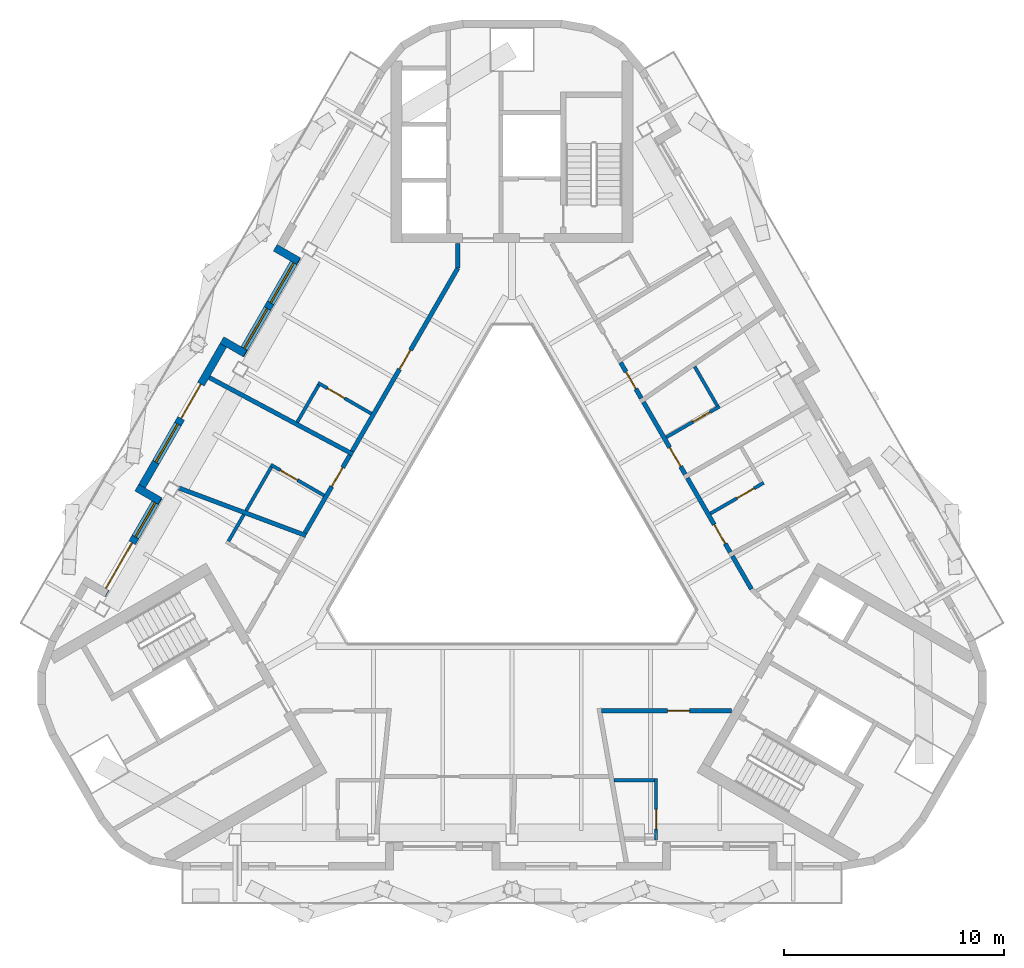
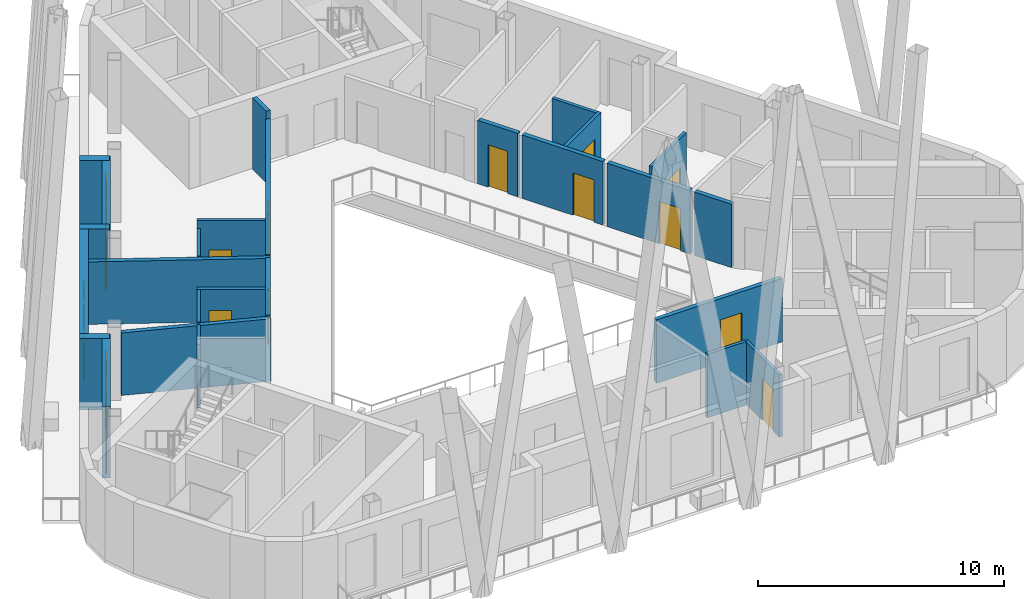
# One storey, part 4 of 12: 26 walls, 13 doors, 4 windows, 17 openings.
"""IFC4 building model written with IfcOpenShell, lengths in metres."""

from ifc_helpers import new_model, si_unit, direction, frame, frame_2d, origin, place, context, subcontext, project, spatial, rectangle, extrude, material, layer, layer_set, type_object, element, fill, save


model = new_model("IFC4")

# Units and contexts
model_context = context("Model", 3, precision=1e-05, world=origin(), true_north=direction((0.0, 1.0)))
body_context = subcontext(model_context, "Body", "Model", "MODEL_VIEW")
ifc_project = project(units=[si_unit("LENGTHUNIT", "METRE"), si_unit("AREAUNIT", "SQUARE_METRE"), si_unit("VOLUMEUNIT", "CUBIC_METRE"), si_unit("PLANEANGLEUNIT", "RADIAN"), si_unit("MASSUNIT", "GRAM", prefix="KILO")], contexts=[model_context])

# Site, building, storey
site_placement = place(None, origin())
site = spatial("IfcSite", under=ifc_project, at=site_placement, CompositionType="ELEMENT")
building_placement = place(site_placement, origin())
building = spatial("IfcBuilding", under=site, at=building_placement, Name="Apuvela Tower Hotel", CompositionType="ELEMENT")
storey_placement = place(building_placement, frame((0.0, 0.0, 324.39990234375)))
storey = spatial("IfcBuildingStorey", under=building, at=storey_placement, Name="L81", CompositionType="ELEMENT", Elevation=324.39990234375)

# Wall
ifc_material_1 = material(Name="Concrete C40/50, dark pigmented precast panel", Category="concrete")
ifc_layer_1 = layer(ifc_material_1, 0.35009765625)
ifc_layer_set_1 = layer_set([ifc_layer_1], Name="ENV-WALL-350")
wall_type_1 = type_object("IfcWallType", Name="ENV-WALL-350", PredefinedType="SOLIDWALL", material=ifc_layer_set_1)
wall_1_placement = place(storey_placement, frame((-10.773681640625, 12.660400390625, 0.0), z_axis=(0.0, 0.0, 1.0), x_axis=(0.866142280446, -0.499797509021, 0.0)))
element("IfcWall", 1, at=wall_1_placement, inside=storey, type_object=wall_type_1, Name="External wall L81-02", PredefinedType="SOLIDWALL", context=body_context, shape_type="SweptSolid", body=[
    extrude(rectangle(XDim=1.22021484375, YDim=0.35009765625, at=frame_2d((0.610107421875, 0.0))), origin(), (0.0, 0.0, 1.0), 3.550048828125),
])

# Wall, openings, windows
wall_2_placement = place(storey_placement, frame((-9.77001953125, 12.24853515625, 0.0), z_axis=(0.0, 0.0, 1.0), x_axis=(-0.499999159329, -0.866025889145, 0.0)))
wall_2 = element("IfcWall", 2, at=wall_2_placement, inside=storey, type_object=wall_type_1, Name="External wall L81-03", PredefinedType="SOLIDWALL", context=body_context, shape_type="SweptSolid", body=[
    extrude(rectangle(XDim=5.142578125, YDim=0.35009765625, at=frame_2d((2.5712890625, 0.0))), origin(), (0.0, 0.0, 1.0), 3.550048828125),
])
opening_1_placement = place(wall_2_placement, frame((0.3203125, 0.0, 0.300048828125)))
opening_1 = element("IfcOpeningElement", 3, at=opening_1_placement, cuts=wall_2, Name="Opening WN21", PredefinedType="OPENING", context=body_context, shape_type="SweptSolid", body=[
    extrude(rectangle(XDim=2.10009765625, YDim=2.64990234375, at=frame_2d((1.050048828125, 1.324951171875))), frame((0.0, 0.18505859375, 0.0), z_axis=(0.0, -1.0, 0.0), x_axis=(1.0, 0.0, 0.0)), (0.0, 0.0, 1.0), 0.3701171875),
])
opening_2_placement = place(wall_2_placement, frame((2.72021484375, 0.0, 0.300048828125)))
opening_2 = element("IfcOpeningElement", 4, at=opening_2_placement, cuts=wall_2, Name="Opening WN21", PredefinedType="OPENING", context=body_context, shape_type="SweptSolid", body=[
    extrude(rectangle(XDim=2.10009765625, YDim=2.64990234375, at=frame_2d((1.050048828125, 1.324951171875))), frame((0.0, 0.18505859375, 0.0), z_axis=(0.0, -1.0, 0.0), x_axis=(1.0, 0.0, 0.0)), (0.0, 0.0, 1.0), 0.3701171875),
])
ifc_material_2 = material(Name="Glass, dark tinted laminated insulated glazing unit", Category="glass")
window_type_1 = type_object("IfcWindowType", Name="ENV-WIN-2100x2650", PartitioningType="SINGLE_PANEL", PredefinedType="WINDOW", material=ifc_material_2)
window_1_placement = place(opening_1_placement, origin())
window_1 = element("IfcWindow", 5, at=window_1_placement, inside=storey, type_object=window_type_1, Name="Window WN21", OverallHeight=2.64990234375, OverallWidth=2.10009765625, PartitioningType="SINGLE_PANEL", PredefinedType="WINDOW", context=body_context, shape_type="SweptSolid", body=[
    extrude(rectangle(XDim=2.10009765625, YDim=2.64990234375, at=frame_2d((1.050048828125, 1.324951171875))), frame((0.0, 0.030029296875, 0.0), z_axis=(0.0, -1.0, 0.0), x_axis=(1.0, 0.0, 0.0)), (0.0, 0.0, 1.0), 0.06005859375),
])
fill(opening_1, window_1)
window_2_placement = place(opening_2_placement, origin())
window_2 = element("IfcWindow", 6, at=window_2_placement, inside=storey, type_object=window_type_1, Name="Window WN21", OverallHeight=2.64990234375, OverallWidth=2.10009765625, PartitioningType="SINGLE_PANEL", PredefinedType="WINDOW", context=body_context, shape_type="SweptSolid", body=[
    extrude(rectangle(XDim=2.10009765625, YDim=2.64990234375, at=frame_2d((1.050048828125, 1.324951171875))), frame((0.0, 0.030029296875, 0.0), z_axis=(0.0, -1.0, 0.0), x_axis=(1.0, 0.0, 0.0)), (0.0, 0.0, 1.0), 0.06005859375),
])
fill(opening_2, window_2)

# Wall
wall_3_placement = place(storey_placement, frame((-12.143310546875, 7.847900390625, 0.0), z_axis=(0.0, 0.0, 1.0), x_axis=(-0.865955602162, 0.500120880472, 0.0)))
element("IfcWall", 7, at=wall_3_placement, inside=storey, type_object=wall_type_1, Name="External wall L81-04", PredefinedType="SOLIDWALL", context=body_context, shape_type="SweptSolid", body=[
    extrude(rectangle(XDim=1.219970703125, YDim=0.35009765625, at=frame_2d((0.60986328125, 0.0))), origin(), (0.0, 0.0, 1.0), 3.550048828125),
])

# Wall, openings, door, window
wall_4_placement = place(storey_placement, frame((-12.960693359375, 8.522216796875, 0.0), z_axis=(0.0, 0.0, 1.0), x_axis=(-0.499995447853, -0.866028031952, 0.0)))
wall_4 = element("IfcWall", 8, at=wall_4_placement, inside=storey, type_object=wall_type_1, Name="External wall L81-05", PredefinedType="SOLIDWALL", context=body_context, shape_type="SweptSolid", body=[
    extrude(rectangle(XDim=8.1025390625, YDim=0.35009765625, at=frame_2d((4.05126953125, 0.0))), origin(), (0.0, 0.0, 1.0), 3.550048828125),
])
opening_3_placement = place(wall_4_placement, frame((2.39013671875, 0.0, 0.0)))
opening_3 = element("IfcOpeningElement", 9, at=opening_3_placement, cuts=wall_4, Name="Opening BD18", PredefinedType="OPENING", context=body_context, shape_type="SweptSolid", body=[
    extrude(rectangle(XDim=1.800048828125, YDim=2.39990234375, at=frame_2d((0.89990234375, 1.199951171875))), frame((0.0, 0.18505859375, 0.0), z_axis=(0.0, -1.0, 0.0), x_axis=(1.0, 0.0, 0.0)), (0.0, 0.0, 1.0), 0.3701171875),
])
opening_4_placement = place(wall_4_placement, frame((4.489990234375, 0.0, 0.300048828125)))
opening_4 = element("IfcOpeningElement", 10, at=opening_4_placement, cuts=wall_4, Name="Opening WN20", PredefinedType="OPENING", context=body_context, shape_type="SweptSolid", body=[
    extrude(rectangle(XDim=2.0, YDim=2.64990234375, at=frame_2d((1.0, 1.324951171875))), frame((0.0, 0.18505859375, 0.0), z_axis=(0.0, -1.0, 0.0), x_axis=(1.0, 0.0, 0.0)), (0.0, 0.0, 1.0), 0.3701171875),
])
ifc_material_3 = material(Name="Aluminium 6063-T6, dark bronze anodised frame with dark tinted laminated glass", Category="aluminium")
door_type_1 = type_object("IfcDoorType", Name="ENV-DOOR-BALCONY-1800x2400", OperationType="SLIDING_TO_LEFT", PredefinedType="DOOR", material=ifc_material_3)
door_1_placement = place(opening_3_placement, frame((1.800048828125, 0.0, 0.0), z_axis=(0.0, 0.0, 1.0), x_axis=(-1.0, 0.0, 0.0)))
door_1 = element("IfcDoor", 11, at=door_1_placement, inside=storey, type_object=door_type_1, Name="Balcony door BD18", OperationType="SLIDING_TO_LEFT", OverallHeight=2.39990234375, OverallWidth=1.800048828125, PredefinedType="DOOR", context=body_context, shape_type="SweptSolid", body=[
    extrude(rectangle(XDim=1.800048828125, YDim=2.39990234375, at=frame_2d((0.89990234375, 1.199951171875))), frame((0.0, 0.02490234375, 0.0), z_axis=(0.0, -1.0, 0.0), x_axis=(1.0, 0.0, 0.0)), (0.0, 0.0, 1.0), 0.050048828125),
])
fill(opening_3, door_1)
window_type_2 = type_object("IfcWindowType", Name="ENV-WIN-2000x2650", PartitioningType="SINGLE_PANEL", PredefinedType="WINDOW", material=ifc_material_2)
window_3_placement = place(opening_4_placement, origin())
window_3 = element("IfcWindow", 12, at=window_3_placement, inside=storey, type_object=window_type_2, Name="Window WN20", OverallHeight=2.64990234375, OverallWidth=2.0, PartitioningType="SINGLE_PANEL", PredefinedType="WINDOW", context=body_context, shape_type="SweptSolid", body=[
    extrude(rectangle(XDim=2.0, YDim=2.64990234375, at=frame_2d((1.0, 1.324951171875))), frame((0.0, 0.030029296875, 0.0), z_axis=(0.0, -1.0, 0.0), x_axis=(1.0, 0.0, 0.0)), (0.0, 0.0, 1.0), 0.06005859375),
])
fill(opening_4, window_3)

# Wall
wall_5_placement = place(storey_placement, frame((-17.075927734375, 1.744384765625, 0.0), z_axis=(0.0, 0.0, 1.0), x_axis=(0.866005645448, -0.500034220881, 0.0)))
element("IfcWall", 13, at=wall_5_placement, inside=storey, type_object=wall_type_1, Name="External wall L81-06", PredefinedType="SOLIDWALL", context=body_context, shape_type="SweptSolid", body=[
    extrude(rectangle(XDim=1.22021484375, YDim=0.35009765625, at=frame_2d((0.610107421875, 0.0))), origin(), (0.0, 0.0, 1.0), 3.550048828125),
])

# Wall, openings, door, window
wall_6_placement = place(storey_placement, frame((-16.072509765625, 1.33251953125, 0.0), z_axis=(0.0, 0.0, 1.0), x_axis=(-0.499999159329, -0.866025889145, 0.0)))
wall_6 = element("IfcWall", 14, at=wall_6_placement, inside=storey, type_object=wall_type_1, Name="External wall L81-07", PredefinedType="SOLIDWALL", context=body_context, shape_type="SweptSolid", body=[
    extrude(rectangle(XDim=5.142578125, YDim=0.35009765625, at=frame_2d((2.5712890625, 0.0))), origin(), (0.0, 0.0, 1.0), 3.550048828125),
])
opening_5_placement = place(wall_6_placement, frame((2.422119140625, 0.0, 0.0)))
opening_5 = element("IfcOpeningElement", 15, at=opening_5_placement, cuts=wall_6, Name="Opening BD24", PredefinedType="OPENING", context=body_context, shape_type="SweptSolid", body=[
    extrude(rectangle(XDim=2.39990234375, YDim=2.39990234375, at=frame_2d((1.199951171875, 1.199951171875))), frame((0.0, 0.18505859375, 0.0), z_axis=(0.0, -1.0, 0.0), x_axis=(1.0, 0.0, 0.0)), (0.0, 0.0, 1.0), 0.3701171875),
])
opening_6_placement = place(wall_6_placement, frame((0.3203125, 0.0, 0.300048828125)))
opening_6 = element("IfcOpeningElement", 16, at=opening_6_placement, cuts=wall_6, Name="Opening WN18", PredefinedType="OPENING", context=body_context, shape_type="SweptSolid", body=[
    extrude(rectangle(XDim=1.800048828125, YDim=2.64990234375, at=frame_2d((0.89990234375, 1.324951171875))), frame((0.0, 0.18505859375, 0.0), z_axis=(0.0, -1.0, 0.0), x_axis=(1.0, 0.0, 0.0)), (0.0, 0.0, 1.0), 0.3701171875),
])
door_type_2 = type_object("IfcDoorType", Name="ENV-DOOR-BALCONY-2400x2400", OperationType="SLIDING_TO_LEFT", PredefinedType="DOOR", material=ifc_material_3)
door_2_placement = place(opening_5_placement, frame((2.39990234375, 0.0, 0.0), z_axis=(0.0, 0.0, 1.0), x_axis=(-1.0, 0.0, 0.0)))
door_2 = element("IfcDoor", 17, at=door_2_placement, inside=storey, type_object=door_type_2, Name="Balcony door BD24", OperationType="SLIDING_TO_LEFT", OverallHeight=2.39990234375, OverallWidth=2.39990234375, PredefinedType="DOOR", context=body_context, shape_type="SweptSolid", body=[
    extrude(rectangle(XDim=2.39990234375, YDim=2.39990234375, at=frame_2d((1.199951171875, 1.199951171875))), frame((0.0, 0.02490234375, 0.0), z_axis=(0.0, -1.0, 0.0), x_axis=(1.0, 0.0, 0.0)), (0.0, 0.0, 1.0), 0.050048828125),
])
fill(opening_5, door_2)
window_type_3 = type_object("IfcWindowType", Name="ENV-WIN-1800x2650", PartitioningType="SINGLE_PANEL", PredefinedType="WINDOW", material=ifc_material_2)
window_4_placement = place(opening_6_placement, origin())
window_4 = element("IfcWindow", 18, at=window_4_placement, inside=storey, type_object=window_type_3, Name="Window WN18", OverallHeight=2.64990234375, OverallWidth=1.800048828125, PartitioningType="SINGLE_PANEL", PredefinedType="WINDOW", context=body_context, shape_type="SweptSolid", body=[
    extrude(rectangle(XDim=1.800048828125, YDim=2.64990234375, at=frame_2d((0.89990234375, 1.324951171875))), frame((0.0, 0.030029296875, 0.0), z_axis=(0.0, -1.0, 0.0), x_axis=(1.0, 0.0, 0.0)), (0.0, 0.0, 1.0), 0.06005859375),
])
fill(opening_6, window_4)

# Walls
ifc_material_4 = material(Name="Gypsum board partition on twin steel stud", Category="steel")
ifc_layer_2 = layer(ifc_material_4, 0.199951171875)
ifc_layer_set_2 = layer_set([ifc_layer_2], Name="GST-PW1")
wall_type_2 = type_object("IfcWallType", Name="GST-PW1", PredefinedType="PARTITIONING", material=ifc_layer_set_2)
wall_7_placement = place(storey_placement, frame((-13.779296875, 6.75439453125, 0.0), z_axis=(0.0, 0.0, 1.0), x_axis=(0.882189732524, -0.470894123799, 0.0)))
element("IfcWall", 19, at=wall_7_placement, inside=storey, type_object=wall_type_2, Name="L81 partition 08", PredefinedType="PARTITIONING", context=body_context, shape_type="SweptSolid", body=[
    extrude(rectangle(XDim=7.41455078125, YDim=0.199951171875, at=frame_2d((3.707275390625, 0.0))), origin(), (0.0, 0.0, 1.0), 3.10009765625),
])
wall_8_placement = place(storey_placement, frame((-15.15234375, 1.72607421875, 0.0), z_axis=(0.0, 0.0, 1.0), x_axis=(0.936472215665, -0.350741770091, 0.0)))
element("IfcWall", 20, at=wall_8_placement, inside=storey, type_object=wall_type_2, Name="L81 partition 09", PredefinedType="PARTITIONING", context=body_context, shape_type="SweptSolid", body=[
    extrude(rectangle(XDim=6.169189453125, YDim=0.199951171875, at=frame_2d((3.08447265625, 0.0))), origin(), (0.0, 0.0, 1.0), 3.10009765625),
])

# Wall, opening, door
ifc_material_5 = material(Name="Gypsum board corridor wall on twin steel stud, acoustic", Category="steel")
ifc_layer_3 = layer(ifc_material_5, 0.199951171875)
ifc_layer_set_3 = layer_set([ifc_layer_3], Name="GST-PW2")
wall_type_3 = type_object("IfcWallType", Name="GST-PW2", PredefinedType="PARTITIONING", material=ifc_layer_set_3)
wall_9_placement = place(storey_placement, frame((9.98828125, -8.39990234375, 0.0), z_axis=(0.0, 0.0, 1.0), x_axis=(-1.0, 0.0, 0.0)))
wall_9 = element("IfcWall", 21, at=wall_9_placement, inside=storey, type_object=wall_type_3, Name="L81 partition 17", PredefinedType="PARTITIONING", context=body_context, shape_type="SweptSolid", body=[
    extrude(rectangle(XDim=5.904296875, YDim=0.199951171875, at=frame_2d((2.9521484375, 0.0))), origin(), (0.0, 0.0, 1.0), 3.150146484375),
])
opening_7_placement = place(wall_9_placement, frame((1.908203125, 0.0, 0.0)))
opening_7 = element("IfcOpeningElement", 22, at=opening_7_placement, cuts=wall_9, Name="Opening GD35-06", PredefinedType="OPENING", context=body_context, shape_type="SweptSolid", body=[
    extrude(rectangle(XDim=1.0, YDim=2.10009765625, at=frame_2d((0.5, 1.050048828125))), frame((0.0, 0.10986328125, 0.0), z_axis=(0.0, -1.0, 0.0), x_axis=(1.0, 0.0, 0.0)), (0.0, 0.0, 1.0), 0.219970703125),
])
ifc_material_6 = material(Name="Timber door leaf in steel frame", Category="steel")
door_type_3 = type_object("IfcDoorType", Name="GST-D1", OperationType="NOTDEFINED", PredefinedType="DOOR", material=ifc_material_6)
door_3_placement = place(opening_7_placement, origin())
door_3 = element("IfcDoor", 23, at=door_3_placement, inside=storey, type_object=door_type_3, Name="Door L81-06", OperationType="SINGLE_SWING_LEFT", OverallHeight=2.10009765625, OverallWidth=1.0, PredefinedType="DOOR", context=body_context, shape_type="SweptSolid", body=[
    extrude(rectangle(XDim=1.0, YDim=2.10009765625, at=frame_2d((0.5, 1.050048828125))), frame((0.0, 0.02490234375, 0.0), z_axis=(0.0, -1.0, 0.0), x_axis=(1.0, 0.0, 0.0)), (0.0, 0.0, 1.0), 0.050048828125),
])
fill(opening_7, door_3)

# Wall
wall_10_placement = place(storey_placement, frame((10.02685546875, -1.366943359375, 0.0), z_axis=(0.0, 0.0, 1.0), x_axis=(0.499973559465, -0.866040668696, 0.0)))
element("IfcWall", 24, at=wall_10_placement, inside=storey, type_object=wall_type_3, Name="L81 partition 21", PredefinedType="PARTITIONING", context=body_context, shape_type="SweptSolid", body=[
    extrude(rectangle(XDim=1.7392578125, YDim=0.199951171875, at=frame_2d((0.86962890625, 0.0))), origin(), (0.0, 0.0, 1.0), 3.150146484375),
])

# Wall, opening, door
wall_11_placement = place(storey_placement, frame((7.978271484375, 2.181396484375, 0.0), z_axis=(0.0, 0.0, 1.0), x_axis=(0.499986368499, -0.866033273792, 0.0)))
wall_11 = element("IfcWall", 25, at=wall_11_placement, inside=storey, type_object=wall_type_3, Name="L81 partition 25", PredefinedType="PARTITIONING", context=body_context, shape_type="SweptSolid", body=[
    extrude(rectangle(XDim=3.89697265625, YDim=0.199951171875, at=frame_2d((1.948486328125, 0.0))), origin(), (0.0, 0.0, 1.0), 3.150146484375),
])
opening_8_placement = place(wall_11_placement, frame((2.448486328125, 0.0, 0.0)))
opening_8 = element("IfcOpeningElement", 26, at=opening_8_placement, cuts=wall_11, Name="Opening GD35-10", PredefinedType="OPENING", context=body_context, shape_type="SweptSolid", body=[
    extrude(rectangle(XDim=1.0, YDim=2.10009765625, at=frame_2d((0.5, 1.050048828125))), frame((0.0, 0.10986328125, 0.0), z_axis=(0.0, -1.0, 0.0), x_axis=(1.0, 0.0, 0.0)), (0.0, 0.0, 1.0), 0.219970703125),
])
door_4_placement = place(opening_8_placement, origin())
door_4 = element("IfcDoor", 27, at=door_4_placement, inside=storey, type_object=door_type_3, Name="Door L81-10", OperationType="SINGLE_SWING_RIGHT", OverallHeight=2.10009765625, OverallWidth=1.0, PredefinedType="DOOR", context=body_context, shape_type="SweptSolid", body=[
    extrude(rectangle(XDim=1.0, YDim=2.10009765625, at=frame_2d((0.5, 1.050048828125))), frame((0.0, 0.02490234375, 0.0), z_axis=(0.0, -1.0, 0.0), x_axis=(1.0, 0.0, 0.0)), (0.0, 0.0, 1.0), 0.050048828125),
])
fill(opening_8, door_4)

wall_12_placement = place(storey_placement, frame((5.982421875, 5.637939453125, 0.0), z_axis=(0.0, 0.0, 1.0), x_axis=(0.500010442696, -0.866019374607, 0.0)))
wall_12 = element("IfcWall", 28, at=wall_12_placement, inside=storey, type_object=wall_type_3, Name="L81 partition 28", PredefinedType="PARTITIONING", context=body_context, shape_type="SweptSolid", body=[
    extrude(rectangle(XDim=3.79150390625, YDim=0.199951171875, at=frame_2d((1.895751953125, 0.0))), origin(), (0.0, 0.0, 1.0), 3.150146484375),
])
opening_9_placement = place(wall_12_placement, frame((2.38720703125, 0.0, 0.0)))
opening_9 = element("IfcOpeningElement", 29, at=opening_9_placement, cuts=wall_12, Name="Opening GD35-12", PredefinedType="OPENING", context=body_context, shape_type="SweptSolid", body=[
    extrude(rectangle(XDim=1.0, YDim=2.10009765625, at=frame_2d((0.5, 1.050048828125))), frame((0.0, 0.10986328125, 0.0), z_axis=(0.0, -1.0, 0.0), x_axis=(1.0, 0.0, 0.0)), (0.0, 0.0, 1.0), 0.219970703125),
])
door_5_placement = place(opening_9_placement, origin())
door_5 = element("IfcDoor", 30, at=door_5_placement, inside=storey, type_object=door_type_3, Name="Door L81-12", OperationType="SINGLE_SWING_RIGHT", OverallHeight=2.10009765625, OverallWidth=1.0, PredefinedType="DOOR", context=body_context, shape_type="SweptSolid", body=[
    extrude(rectangle(XDim=1.0, YDim=2.10009765625, at=frame_2d((0.5, 1.050048828125))), frame((0.0, 0.02490234375, 0.0), z_axis=(0.0, -1.0, 0.0), x_axis=(1.0, 0.0, 0.0)), (0.0, 0.0, 1.0), 0.050048828125),
])
fill(opening_9, door_5)

wall_13_placement = place(storey_placement, frame((4.943603515625, 7.4375, 0.0), z_axis=(0.0, 0.0, 1.0), x_axis=(0.499943868168, -0.866057809087, 0.0)))
wall_13 = element("IfcWall", 31, at=wall_13_placement, inside=storey, type_object=wall_type_3, Name="L81 partition 32", PredefinedType="PARTITIONING", context=body_context, shape_type="SweptSolid", body=[
    extrude(rectangle(XDim=1.877197265625, YDim=0.199951171875, at=frame_2d((0.9384765625, 0.0))), origin(), (0.0, 0.0, 1.0), 3.150146484375),
])
opening_10_placement = place(wall_13_placement, frame((0.48876953125, 0.0, 0.0)))
opening_10 = element("IfcOpeningElement", 32, at=opening_10_placement, cuts=wall_13, Name="Opening GD35-13", PredefinedType="OPENING", context=body_context, shape_type="SweptSolid", body=[
    extrude(rectangle(XDim=0.89990234375, YDim=2.10009765625, at=frame_2d((0.449951171875, 1.050048828125))), frame((0.0, 0.10986328125, 0.0), z_axis=(0.0, -1.0, 0.0), x_axis=(1.0, 0.0, 0.0)), (0.0, 0.0, 1.0), 0.219970703125),
])
door_type_4 = type_object("IfcDoorType", Name="GST-D2", OperationType="NOTDEFINED", PredefinedType="DOOR", material=ifc_material_6)
door_6_placement = place(opening_10_placement, origin())
door_6 = element("IfcDoor", 33, at=door_6_placement, inside=storey, type_object=door_type_4, Name="Door L81-13", OperationType="SINGLE_SWING_LEFT", OverallHeight=2.10009765625, OverallWidth=0.89990234375, PredefinedType="DOOR", context=body_context, shape_type="SweptSolid", body=[
    extrude(rectangle(XDim=0.89990234375, YDim=2.10009765625, at=frame_2d((0.449951171875, 1.050048828125))), frame((0.0, 0.02490234375, 0.0), z_axis=(0.0, -1.0, 0.0), x_axis=(1.0, 0.0, 0.0)), (0.0, 0.0, 1.0), 0.050048828125),
])
fill(opening_10, door_6)

wall_14_placement = place(storey_placement, frame((-7.276611328125, 3.396728515625, 0.0), z_axis=(0.0, 0.0, 1.0), x_axis=(0.500006917907, 0.866021409692, 0.0)))
wall_14 = element("IfcWall", 34, at=wall_14_placement, inside=storey, type_object=wall_type_3, Name="L81 partition 37", PredefinedType="PARTITIONING", context=body_context, shape_type="SweptSolid", body=[
    extrude(rectangle(XDim=9.633056640625, YDim=0.199951171875, at=frame_2d((4.81640625, 0.0))), origin(), (0.0, 0.0, 1.0), 3.150146484375),
])
opening_11_placement = place(wall_14_placement, frame((4.31640625, 0.0, 0.0)))
opening_11 = element("IfcOpeningElement", 35, at=opening_11_placement, cuts=wall_14, Name="Opening GD35-18", PredefinedType="OPENING", context=body_context, shape_type="SweptSolid", body=[
    extrude(rectangle(XDim=1.0, YDim=2.10009765625, at=frame_2d((0.5, 1.050048828125))), frame((0.0, 0.10986328125, 0.0), z_axis=(0.0, -1.0, 0.0), x_axis=(1.0, 0.0, 0.0)), (0.0, 0.0, 1.0), 0.219970703125),
])
door_7_placement = place(opening_11_placement, origin())
door_7 = element("IfcDoor", 36, at=door_7_placement, inside=storey, type_object=door_type_3, Name="Door L81-18", OperationType="SINGLE_SWING_RIGHT", OverallHeight=2.10009765625, OverallWidth=1.0, PredefinedType="DOOR", context=body_context, shape_type="SweptSolid", body=[
    extrude(rectangle(XDim=1.0, YDim=2.10009765625, at=frame_2d((0.5, 1.050048828125))), frame((0.0, 0.02490234375, 0.0), z_axis=(0.0, -1.0, 0.0), x_axis=(1.0, 0.0, 0.0)), (0.0, 0.0, 1.0), 0.050048828125),
])
fill(opening_11, door_7)

# Wall
wall_15_placement = place(storey_placement, frame((-2.4599609375, 11.7392578125, 0.0), z_axis=(0.0, 0.0, 1.0), x_axis=(0.0, 1.0, 0.0)))
element("IfcWall", 37, at=wall_15_placement, inside=storey, type_object=wall_type_3, Name="L81 partition 38", PredefinedType="PARTITIONING", context=body_context, shape_type="SweptSolid", body=[
    extrude(rectangle(XDim=1.11083984375, YDim=0.199951171875, at=frame_2d((0.555419921875, 0.0))), origin(), (0.0, 0.0, 1.0), 3.550048828125),
])

# Wall, opening, door
wall_16_placement = place(storey_placement, frame((-9.419189453125, -0.314453125, 0.0), z_axis=(0.0, 0.0, 1.0), x_axis=(0.499982843957, 0.866035308604, 0.0)))
wall_16 = element("IfcWall", 38, at=wall_16_placement, inside=storey, type_object=wall_type_3, Name="L81 partition 41", PredefinedType="PARTITIONING", context=body_context, shape_type="SweptSolid", body=[
    extrude(rectangle(XDim=4.085205078125, YDim=0.199951171875, at=frame_2d((2.04248046875, 0.0))), origin(), (0.0, 0.0, 1.0), 3.150146484375),
])
opening_12_placement = place(wall_16_placement, frame((2.433349609375, 0.0, 0.0)))
opening_12 = element("IfcOpeningElement", 39, at=opening_12_placement, cuts=wall_16, Name="Opening GD35-20", PredefinedType="OPENING", context=body_context, shape_type="SweptSolid", body=[
    extrude(rectangle(XDim=1.0, YDim=2.10009765625, at=frame_2d((0.5, 1.050048828125))), frame((0.0, 0.10986328125, 0.0), z_axis=(0.0, -1.0, 0.0), x_axis=(1.0, 0.0, 0.0)), (0.0, 0.0, 1.0), 0.219970703125),
])
door_8_placement = place(opening_12_placement, origin())
door_8 = element("IfcDoor", 40, at=door_8_placement, inside=storey, type_object=door_type_3, Name="Door L81-20", OperationType="SINGLE_SWING_RIGHT", OverallHeight=2.10009765625, OverallWidth=1.0, PredefinedType="DOOR", context=body_context, shape_type="SweptSolid", body=[
    extrude(rectangle(XDim=1.0, YDim=2.10009765625, at=frame_2d((0.5, 1.050048828125))), frame((0.0, 0.02490234375, 0.0), z_axis=(0.0, -1.0, 0.0), x_axis=(1.0, 0.0, 0.0)), (0.0, 0.0, 1.0), 0.050048828125),
])
fill(opening_12, door_8)

ifc_material_7 = material(Name="Moisture-resistant gypsum board wet wall on steel stud", Category="steel")
ifc_layer_4 = layer(ifc_material_7, 0.14990234375)
ifc_layer_set_4 = layer_set([ifc_layer_4], Name="GST-PW3")
wall_type_4 = type_object("IfcWallType", Name="GST-PW3", PredefinedType="PARTITIONING", material=ifc_layer_set_4)
wall_17_placement = place(storey_placement, frame((6.55517578125, -14.300048828125, 0.0), z_axis=(0.0, 0.0, 1.0), x_axis=(0.0, 1.0, 0.0)))
wall_17 = element("IfcWall", 41, at=wall_17_placement, inside=storey, type_object=wall_type_4, Name="L81 partition 18", PredefinedType="PARTITIONING", context=body_context, shape_type="SweptSolid", body=[
    extrude(rectangle(XDim=2.800048828125, YDim=0.14990234375, at=frame_2d((1.39990234375, 0.0))), origin(), (0.0, 0.0, 1.0), 3.10009765625),
])
opening_13_placement = place(wall_17_placement, frame((0.5, 0.0, 0.0)))
opening_13 = element("IfcOpeningElement", 42, at=opening_13_placement, cuts=wall_17, Name="Opening GD35-05", PredefinedType="OPENING", context=body_context, shape_type="SweptSolid", body=[
    extrude(rectangle(XDim=0.89990234375, YDim=2.10009765625, at=frame_2d((0.449951171875, 1.050048828125))), frame((0.0, 0.0849609375, 0.0), z_axis=(0.0, -1.0, 0.0), x_axis=(1.0, 0.0, 0.0)), (0.0, 0.0, 1.0), 0.169921875),
])
door_9_placement = place(opening_13_placement, origin())
door_9 = element("IfcDoor", 43, at=door_9_placement, inside=storey, type_object=door_type_4, Name="Door L81-05", OperationType="SINGLE_SWING_LEFT", OverallHeight=2.10009765625, OverallWidth=0.89990234375, PredefinedType="DOOR", context=body_context, shape_type="SweptSolid", body=[
    extrude(rectangle(XDim=0.89990234375, YDim=2.10009765625, at=frame_2d((0.449951171875, 1.050048828125))), frame((0.0, 0.02490234375, 0.0), z_axis=(0.0, -1.0, 0.0), x_axis=(1.0, 0.0, 0.0)), (0.0, 0.0, 1.0), 0.050048828125),
])
fill(opening_13, door_9)

# Wall
wall_18_placement = place(storey_placement, frame((4.643310546875, -11.574951171875, 0.0), z_axis=(0.0, 0.0, 1.0), x_axis=(1.0, 0.0, 0.0)))
element("IfcWall", 44, at=wall_18_placement, inside=storey, type_object=wall_type_4, Name="L81 partition 20", PredefinedType="PARTITIONING", context=body_context, shape_type="SweptSolid", body=[
    extrude(rectangle(XDim=1.836669921875, YDim=0.14990234375, at=frame_2d((0.91845703125, 0.0))), origin(), (0.0, 0.0, 1.0), 3.150146484375),
])

# Wall, opening, door
wall_19_placement = place(storey_placement, frame((9.02734375, 0.564208984375, 0.0), z_axis=(0.0, 0.0, 1.0), x_axis=(0.866034573852, 0.49998411664, 0.0)))
wall_19 = element("IfcWall", 45, at=wall_19_placement, inside=storey, type_object=wall_type_4, Name="L81 partition 26", PredefinedType="PARTITIONING", context=body_context, shape_type="SweptSolid", body=[
    extrude(rectangle(XDim=2.7998046875, YDim=0.14990234375, at=frame_2d((1.39990234375, 0.0))), origin(), (0.0, 0.0, 1.0), 3.550048828125),
])
opening_14_placement = place(wall_19_placement, frame((1.39990234375, 0.0, 0.0)))
opening_14 = element("IfcOpeningElement", 46, at=opening_14_placement, cuts=wall_19, Name="Opening GD35-09", PredefinedType="OPENING", context=body_context, shape_type="SweptSolid", body=[
    extrude(rectangle(XDim=0.89990234375, YDim=2.10009765625, at=frame_2d((0.449951171875, 1.050048828125))), frame((0.0, 0.0849609375, 0.0), z_axis=(0.0, -1.0, 0.0), x_axis=(1.0, 0.0, 0.0)), (0.0, 0.0, 1.0), 0.169921875),
])
door_10_placement = place(opening_14_placement, origin())
door_10 = element("IfcDoor", 47, at=door_10_placement, inside=storey, type_object=door_type_4, Name="Door L81-09", OperationType="SINGLE_SWING_RIGHT", OverallHeight=2.10009765625, OverallWidth=0.89990234375, PredefinedType="DOOR", context=body_context, shape_type="SweptSolid", body=[
    extrude(rectangle(XDim=0.89990234375, YDim=2.10009765625, at=frame_2d((0.449951171875, 1.050048828125))), frame((0.0, 0.02490234375, 0.0), z_axis=(0.0, -1.0, 0.0), x_axis=(1.0, 0.0, 0.0)), (0.0, 0.0, 1.0), 0.050048828125),
])
fill(opening_14, door_10)

wall_20_placement = place(storey_placement, frame((7.023193359375, 4.03564453125, 0.0), z_axis=(0.0, 0.0, 1.0), x_axis=(0.866034573852, 0.49998411664, 0.0)))
wall_20 = element("IfcWall", 48, at=wall_20_placement, inside=storey, type_object=wall_type_4, Name="L81 partition 29", PredefinedType="PARTITIONING", context=body_context, shape_type="SweptSolid", body=[
    extrude(rectangle(XDim=2.7998046875, YDim=0.14990234375, at=frame_2d((1.39990234375, 0.0))), origin(), (0.0, 0.0, 1.0), 3.150146484375),
])
opening_15_placement = place(wall_20_placement, frame((1.39990234375, 0.0, 0.0)))
opening_15 = element("IfcOpeningElement", 49, at=opening_15_placement, cuts=wall_20, Name="Opening GD35-11", PredefinedType="OPENING", context=body_context, shape_type="SweptSolid", body=[
    extrude(rectangle(XDim=0.89990234375, YDim=2.10009765625, at=frame_2d((0.449951171875, 1.050048828125))), frame((0.0, 0.0849609375, 0.0), z_axis=(0.0, -1.0, 0.0), x_axis=(1.0, 0.0, 0.0)), (0.0, 0.0, 1.0), 0.169921875),
])
door_11_placement = place(opening_15_placement, origin())
door_11 = element("IfcDoor", 50, at=door_11_placement, inside=storey, type_object=door_type_4, Name="Door L81-11", OperationType="SINGLE_SWING_RIGHT", OverallHeight=2.10009765625, OverallWidth=0.89990234375, PredefinedType="DOOR", context=body_context, shape_type="SweptSolid", body=[
    extrude(rectangle(XDim=0.89990234375, YDim=2.10009765625, at=frame_2d((0.449951171875, 1.050048828125))), frame((0.0, 0.02490234375, 0.0), z_axis=(0.0, -1.0, 0.0), x_axis=(1.0, 0.0, 0.0)), (0.0, 0.0, 1.0), 0.050048828125),
])
fill(opening_15, door_11)

# Wall
wall_21_placement = place(storey_placement, frame((9.345703125, 5.462890625, 0.0), z_axis=(0.0, 0.0, 1.0), x_axis=(-0.500049439734, 0.865996857859, 0.0)))
element("IfcWall", 51, at=wall_21_placement, inside=storey, type_object=wall_type_4, Name="L81 partition 30", PredefinedType="PARTITIONING", context=body_context, shape_type="SweptSolid", body=[
    extrude(rectangle(XDim=2.068115234375, YDim=0.14990234375, at=frame_2d((1.0341796875, 0.0))), origin(), (0.0, 0.0, 1.0), 3.150146484375),
])

# Wall, opening, door
wall_22_placement = place(storey_placement, frame((-6.40234375, 5.11083984375, 0.0), z_axis=(0.0, 0.0, 1.0), x_axis=(-0.865996816683, 0.500049511043, 0.0)))
wall_22 = element("IfcWall", 52, at=wall_22_placement, inside=storey, type_object=wall_type_4, Name="L81 partition 39", PredefinedType="PARTITIONING", context=body_context, shape_type="SweptSolid", body=[
    extrude(rectangle(XDim=2.800048828125, YDim=0.14990234375, at=frame_2d((1.39990234375, 0.0))), origin(), (0.0, 0.0, 1.0), 3.550048828125),
])
opening_16_placement = place(wall_22_placement, frame((1.39990234375, 0.0, 0.0)))
opening_16 = element("IfcOpeningElement", 53, at=opening_16_placement, cuts=wall_22, Name="Opening GD35-17", PredefinedType="OPENING", context=body_context, shape_type="SweptSolid", body=[
    extrude(rectangle(XDim=0.89990234375, YDim=2.10009765625, at=frame_2d((0.449951171875, 1.050048828125))), frame((0.0, 0.0849609375, 0.0), z_axis=(0.0, -1.0, 0.0), x_axis=(1.0, 0.0, 0.0)), (0.0, 0.0, 1.0), 0.169921875),
])
door_12_placement = place(opening_16_placement, origin())
door_12 = element("IfcDoor", 54, at=door_12_placement, inside=storey, type_object=door_type_4, Name="Door L81-17", OperationType="SINGLE_SWING_RIGHT", OverallHeight=2.10009765625, OverallWidth=0.89990234375, PredefinedType="DOOR", context=body_context, shape_type="SweptSolid", body=[
    extrude(rectangle(XDim=0.89990234375, YDim=2.10009765625, at=frame_2d((0.449951171875, 1.050048828125))), frame((0.0, 0.02490234375, 0.0), z_axis=(0.0, -1.0, 0.0), x_axis=(1.0, 0.0, 0.0)), (0.0, 0.0, 1.0), 0.050048828125),
])
fill(opening_16, door_12)

# Wall
wall_23_placement = place(storey_placement, frame((-8.7998046875, 6.408447265625, 0.0), z_axis=(0.0, 0.0, 1.0), x_axis=(-0.499954779475, -0.866051510293, 0.0)))
element("IfcWall", 55, at=wall_23_placement, inside=storey, type_object=wall_type_4, Name="L81 partition 40", PredefinedType="PARTITIONING", context=body_context, shape_type="SweptSolid", body=[
    extrude(rectangle(XDim=1.940673828125, YDim=0.14990234375, at=frame_2d((0.97021484375, 0.0))), origin(), (0.0, 0.0, 1.0), 3.150146484375),
])

# Wall, opening, door
wall_24_placement = place(storey_placement, frame((-8.551513671875, 1.38818359375, 0.0), z_axis=(0.0, 0.0, 1.0), x_axis=(-0.866056369097, 0.49994636267, 0.0)))
wall_24 = element("IfcWall", 56, at=wall_24_placement, inside=storey, type_object=wall_type_4, Name="L81 partition 42", PredefinedType="PARTITIONING", context=body_context, shape_type="SweptSolid", body=[
    extrude(rectangle(XDim=2.800048828125, YDim=0.14990234375, at=frame_2d((1.39990234375, 0.0))), origin(), (0.0, 0.0, 1.0), 3.150146484375),
])
opening_17_placement = place(wall_24_placement, frame((1.39990234375, 0.0, 0.0)))
opening_17 = element("IfcOpeningElement", 57, at=opening_17_placement, cuts=wall_24, Name="Opening GD35-19", PredefinedType="OPENING", context=body_context, shape_type="SweptSolid", body=[
    extrude(rectangle(XDim=0.89990234375, YDim=2.10009765625, at=frame_2d((0.449951171875, 1.050048828125))), frame((0.0, 0.0849609375, 0.0), z_axis=(0.0, -1.0, 0.0), x_axis=(1.0, 0.0, 0.0)), (0.0, 0.0, 1.0), 0.169921875),
])
door_13_placement = place(opening_17_placement, origin())
door_13 = element("IfcDoor", 58, at=door_13_placement, inside=storey, type_object=door_type_4, Name="Door L81-19", OperationType="SINGLE_SWING_RIGHT", OverallHeight=2.10009765625, OverallWidth=0.89990234375, PredefinedType="DOOR", context=body_context, shape_type="SweptSolid", body=[
    extrude(rectangle(XDim=0.89990234375, YDim=2.10009765625, at=frame_2d((0.449951171875, 1.050048828125))), frame((0.0, 0.02490234375, 0.0), z_axis=(0.0, -1.0, 0.0), x_axis=(1.0, 0.0, 0.0)), (0.0, 0.0, 1.0), 0.050048828125),
])
fill(opening_17, door_13)

# Walls
wall_25_placement = place(storey_placement, frame((-10.948974609375, 2.685791015625, 0.0), z_axis=(0.0, 0.0, 1.0), x_axis=(-0.500012835235, -0.866017993231, 0.0)))
element("IfcWall", 59, at=wall_25_placement, inside=storey, type_object=wall_type_4, Name="L81 partition 43", PredefinedType="PARTITIONING", context=body_context, shape_type="SweptSolid", body=[
    extrude(rectangle(XDim=2.3046875, YDim=0.14990234375, at=frame_2d((1.15234375, 0.0))), origin(), (0.0, 0.0, 1.0), 3.150146484375),
])
wall_26_placement = place(storey_placement, frame((-12.20263671875, 0.514404296875, 0.0), z_axis=(0.0, 0.0, 1.0), x_axis=(-0.5000152428, -0.866016603171, 0.0)))
element("IfcWall", 60, at=wall_26_placement, inside=storey, type_object=wall_type_4, Name="L81 partition 46", PredefinedType="PARTITIONING", context=body_context, shape_type="SweptSolid", body=[
    extrude(rectangle(XDim=1.3955078125, YDim=0.14990234375, at=frame_2d((0.69775390625, 0.0))), origin(), (0.0, 0.0, 1.0), 3.150146484375),
])

save(model, "model.ifc")
